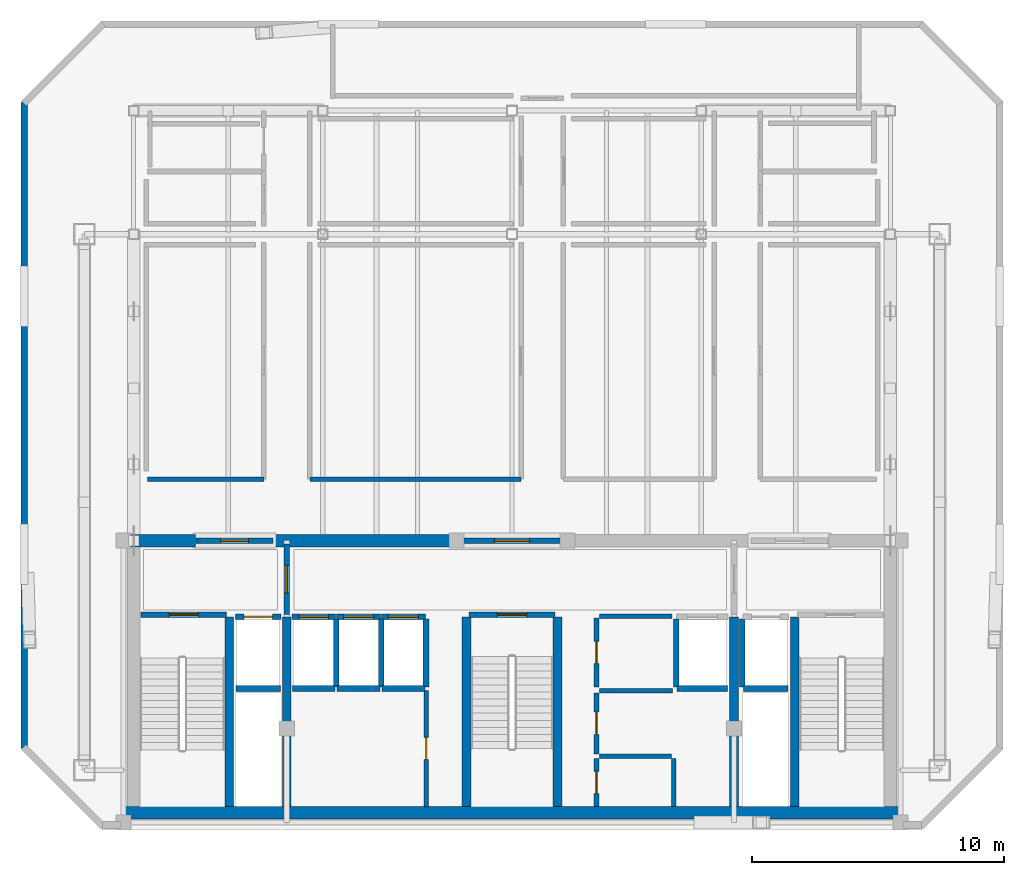
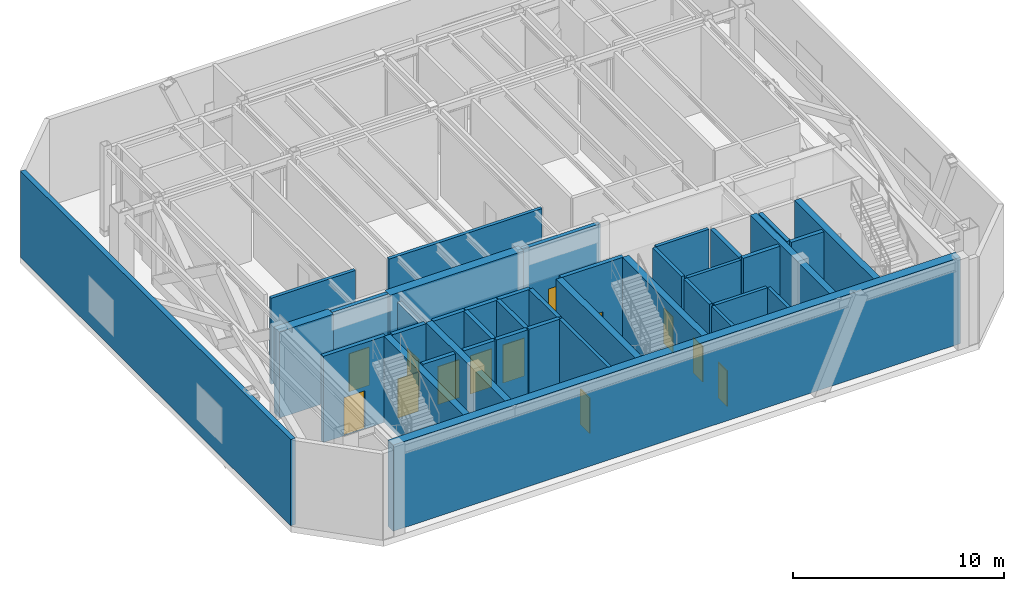
# One storey, part 3 of 7: 40 walls, 13 doors, 13 openings.
"""IFC4 building model written with IfcOpenShell, lengths in metres."""

from ifc_helpers import new_model, si_unit, direction, frame, frame_2d, origin, place, context, subcontext, project, spatial, rectangle, extrude, material, layer, layer_set, type_object, element, fill, save


model = new_model("IFC4")

# Units and contexts
model_context = context("Model", 3, precision=1e-05, world=origin(), true_north=direction((0.0, 1.0)))
body_context = subcontext(model_context, "Body", "Model", "MODEL_VIEW")
ifc_project = project(units=[si_unit("LENGTHUNIT", "METRE"), si_unit("AREAUNIT", "SQUARE_METRE"), si_unit("VOLUMEUNIT", "CUBIC_METRE"), si_unit("PLANEANGLEUNIT", "RADIAN"), si_unit("MASSUNIT", "GRAM", prefix="KILO")], contexts=[model_context])

# Site, building, storey
site_placement = place(None, origin())
site = spatial("IfcSite", under=ifc_project, at=site_placement, CompositionType="ELEMENT")
building_placement = place(site_placement, origin())
building = spatial("IfcBuilding", under=site, at=building_placement, Name="Ventersveld Concourse Tower", CompositionType="ELEMENT")
storey_placement = place(building_placement, frame((0.0, 0.0, 332.300048828125)))
storey = spatial("IfcBuildingStorey", under=building, at=storey_placement, Name="L82", CompositionType="ELEMENT", Elevation=332.300048828125)

# Walls
ifc_material_1 = material(Name="Concrete C50/60", Category="concrete")
ifc_layer_1 = layer(ifc_material_1, 0.35009765625)
ifc_layer_set_1 = layer_set([ifc_layer_1], Name="Concrete C50/60")
wall_type_1 = type_object("IfcWallType", Name="WL-CORE-350U", PredefinedType="SHEAR", material=ifc_layer_set_1)
for number, where, z_axis, x_axis, name in (
    (1, (17.5400390625, 0.919921875, 0.0), (0.0, 0.0, 1.0), (0.0, 1.0, 0.0), "L82 Core Internal Shear Web W-ST1-E"),
    (2, (19.820068359375, 0.919921875, 0.0), (0.0, 0.0, 1.0), (0.0, 1.0, 0.0), "L82 Core Internal Shear Web W-FF1-E"),
    (3, (26.93994140625, 0.919921875, 0.0), (0.0, 0.0, 1.0), (0.0, 1.0, 0.0), "L82 Core Internal Shear Web W-ST3-W"),
    (4, (30.56005859375, 0.919921875, 0.0), (0.0, 0.0, 1.0), (0.0, 1.0, 0.0), "L82 Core Internal Shear Web W-ST3-E"),
    (5, (37.550048828125, 0.919921875, 0.0), (0.0, 0.0, 1.0), (0.0, 1.0, 0.0), "L82 Core Internal Shear Web W-SVL-W"),
    (6, (39.9599609375, 0.919921875, 0.0), (0.0, 0.0, 1.0), (0.0, 1.0, 0.0), "L82 Core Internal Shear Web W-ST2-W"),
):
    element("IfcWall", number, at=place(storey_placement, frame(where, z_axis=z_axis, x_axis=x_axis)), inside=storey, type_object=wall_type_1, Name=name, PredefinedType="SHEAR", context=body_context, shape_type="SweptSolid", body=[
        extrude(rectangle(XDim=7.5, YDim=0.35009765625, at=frame_2d((3.75, 0.0))), origin(), (0.0, 0.0, 1.0), 4.97998046875),
    ])
ifc_layer_2 = layer(ifc_material_1, 0.5)
ifc_layer_set_2 = layer_set([ifc_layer_2], Name="Concrete C50/60")
wall_type_2 = type_object("IfcWallType", Name="WL-CORE-500", PredefinedType="SHEAR", material=ifc_layer_set_2)
wall_1_placement = place(storey_placement, frame((13.25, 0.669921875, 0.0), z_axis=(0.0, 0.0, 1.0), x_axis=(1.0, 0.0, 0.0)))
element("IfcWall", 7, at=wall_1_placement, inside=storey, type_object=wall_type_2, Name="L82 Rear Core South Shear Wall", PredefinedType="SHEAR", context=body_context, shape_type="SweptSolid", body=[
    extrude(rectangle(XDim=31.0, YDim=0.5, at=frame_2d((15.5, 0.0))), origin(), (0.0, 0.0, 1.0), 4.97998046875),
])
wall_2_placement = place(storey_placement, frame((13.25, 11.449951171875, 0.0), z_axis=(0.0, 0.0, 1.0), x_axis=(1.0, 0.0, 0.0)))
element("IfcWall", 8, at=wall_2_placement, inside=storey, type_object=wall_type_2, Name="L82 Rear Core North Shear Wall NW", PredefinedType="SHEAR", context=body_context, shape_type="SweptSolid", body=[
    extrude(rectangle(XDim=2.949951171875, YDim=0.5, at=frame_2d((1.47509765625, 0.0))), origin(), (0.0, 0.0, 1.0), 4.97998046875),
])
wall_3_placement = place(storey_placement, frame((19.300048828125, 11.449951171875, 0.0), z_axis=(0.0, 0.0, 1.0), x_axis=(1.0, 0.0, 0.0)))
element("IfcWall", 9, at=wall_3_placement, inside=storey, type_object=wall_type_2, Name="L82 Rear Core North Shear Wall NML", PredefinedType="SHEAR", context=body_context, shape_type="SweptSolid", body=[
    extrude(rectangle(XDim=7.300048828125, YDim=0.5, at=frame_2d((3.64990234375, 0.0))), origin(), (0.0, 0.0, 1.0), 4.97998046875),
])

# Wall, opening, door
ifc_material_2 = material(Name="Fire-rated autoclaved aerated masonry blockwork", Category="masonry")
ifc_layer_3 = layer(ifc_material_2, 0.179931640625)
ifc_layer_set_3 = layer_set([ifc_layer_3], Name="Fire-rated autoclaved aerated masonry blockwork")
wall_type_3 = type_object("IfcWallType", Name="WL-CORR-180", PredefinedType="PARTITIONING", material=ifc_layer_set_3)
wall_4_placement = place(storey_placement, frame((25.35009765625, 0.89990234375, 0.0), z_axis=(0.0, 0.0, 1.0), x_axis=(0.0, 1.0, 0.0)))
wall_4 = element("IfcWall", 10, at=wall_4_placement, inside=storey, type_object=wall_type_3, Name="L82 Core Passage Wall SP-L82-RECB1A", PredefinedType="PARTITIONING", context=body_context, shape_type="SweptSolid", body=[
    extrude(rectangle(XDim=4.6201171875, YDim=0.179931640625, at=frame_2d((2.31005859375, 0.0))), origin(), (0.0, 0.0, 1.0), 4.97998046875),
])
opening_1_placement = place(wall_4_placement, frame((1.8701171875, 0.0, 0.0)))
opening_1 = element("IfcOpeningElement", 11, at=opening_1_placement, cuts=wall_4, Name="Opening FD5", PredefinedType="OPENING", context=body_context, shape_type="SweptSolid", body=[
    extrude(rectangle(XDim=0.8798828125, YDim=2.050048828125, at=frame_2d((0.43994140625, 1.02490234375))), frame((0.0, 0.10009765625, 0.0), z_axis=(0.0, -1.0, 0.0), x_axis=(1.0, 0.0, 0.0)), (0.0, 0.0, 1.0), 0.199951171875),
])
ifc_material_3 = material(Name="Galvanised painted steel", Category="steel")
door_type_1 = type_object("IfcDoorType", Name="DR-RISER-088", OperationType="NOTDEFINED", PredefinedType="DOOR", material=ifc_material_3)
door_1_placement = place(opening_1_placement, origin())
door_1 = element("IfcDoor", 12, at=door_1_placement, inside=storey, type_object=door_type_1, Name="L82 Core Room Door L82 Reclaimed Core Meeting Pod (CD-L82-3713)", OperationType="SINGLE_SWING_RIGHT", OverallHeight=2.050048828125, OverallWidth=0.8798828125, PredefinedType="DOOR", context=body_context, shape_type="SweptSolid", body=[
    extrude(rectangle(XDim=0.8798828125, YDim=2.050048828125, at=frame_2d((0.43994140625, 1.02490234375))), frame((0.0, 0.02490234375, 0.0), z_axis=(0.0, -1.0, 0.0), x_axis=(1.0, 0.0, 0.0)), (0.0, 0.0, 1.0), 0.050048828125),
])
fill(opening_1, door_1)

wall_5_placement = place(storey_placement, frame((32.10009765625, 0.919921875, 0.0), z_axis=(0.0, 0.0, 1.0), x_axis=(0.0, 1.0, 0.0)))
wall_5 = element("IfcWall", 13, at=wall_5_placement, inside=storey, type_object=wall_type_3, Name="L82 Core Passage Wall SP-L82-RECB2S", PredefinedType="PARTITIONING", context=body_context, shape_type="SweptSolid", body=[
    extrude(rectangle(XDim=1.900146484375, YDim=0.179931640625, at=frame_2d((0.9501953125, 0.0))), origin(), (0.0, 0.0, 1.0), 4.97998046875),
])
opening_2_placement = place(wall_5_placement, frame((0.510009765625, 0.0, 0.0)))
opening_2 = element("IfcOpeningElement", 14, at=opening_2_placement, cuts=wall_5, Name="Opening FD5", PredefinedType="OPENING", context=body_context, shape_type="SweptSolid", body=[
    extrude(rectangle(XDim=0.8798828125, YDim=2.050048828125, at=frame_2d((0.43994140625, 1.02490234375))), frame((0.0, 0.10009765625, 0.0), z_axis=(0.0, -1.0, 0.0), x_axis=(1.0, 0.0, 0.0)), (0.0, 0.0, 1.0), 0.199951171875),
])
door_2_placement = place(opening_2_placement, origin())
door_2 = element("IfcDoor", 15, at=door_2_placement, inside=storey, type_object=door_type_1, Name="L82 Core Room Door L82 Reclaimed Core Archive Store (CD-L82-3714)", OperationType="SINGLE_SWING_LEFT", OverallHeight=2.050048828125, OverallWidth=0.8798828125, PredefinedType="DOOR", context=body_context, shape_type="SweptSolid", body=[
    extrude(rectangle(XDim=0.8798828125, YDim=2.050048828125, at=frame_2d((0.43994140625, 1.02490234375))), frame((0.0, 0.02490234375, 0.0), z_axis=(0.0, -1.0, 0.0), x_axis=(1.0, 0.0, 0.0)), (0.0, 0.0, 1.0), 0.050048828125),
])
fill(opening_2, door_2)

# Walls
wall_6_placement = place(storey_placement, frame((32.219970703125, 2.89990234375, 0.0), z_axis=(0.0, 0.0, 1.0), x_axis=(1.0, 0.0, 0.0)))
element("IfcWall", 16, at=wall_6_placement, inside=storey, type_object=wall_type_3, Name="L82 Core Top Wall SP-L82-RECB2S", PredefinedType="PARTITIONING", context=body_context, shape_type="SweptSolid", body=[
    extrude(rectangle(XDim=2.860107421875, YDim=0.179931640625, at=frame_2d((1.43017578125, 0.0))), origin(), (0.0, 0.0, 1.0), 4.97998046875),
])
wall_7_placement = place(storey_placement, frame((35.159912109375, 0.919921875, 0.0), z_axis=(0.0, 0.0, 1.0), x_axis=(0.0, 1.0, 0.0)))
element("IfcWall", 17, at=wall_7_placement, inside=storey, type_object=wall_type_3, Name="L82 Core East Wall SP-L82-RECB2S", PredefinedType="PARTITIONING", context=body_context, shape_type="SweptSolid", body=[
    extrude(rectangle(XDim=1.900146484375, YDim=0.179931640625, at=frame_2d((0.9501953125, 0.0))), origin(), (0.0, 0.0, 1.0), 4.97998046875),
])

# Wall, opening, door
wall_8_placement = place(storey_placement, frame((32.10009765625, 3.0, 0.0), z_axis=(0.0, 0.0, 1.0), x_axis=(0.0, 1.0, 0.0)))
wall_8 = element("IfcWall", 18, at=wall_8_placement, inside=storey, type_object=wall_type_3, Name="L82 Core Passage Wall SP-L82-RECB2N", PredefinedType="PARTITIONING", context=body_context, shape_type="SweptSolid", body=[
    extrude(rectangle(XDim=2.419921875, YDim=0.179931640625, at=frame_2d((1.2099609375, 0.0))), origin(), (0.0, 0.0, 1.0), 4.97998046875),
])
opening_3_placement = place(wall_8_placement, frame((0.77001953125, 0.0, 0.0)))
opening_3 = element("IfcOpeningElement", 19, at=opening_3_placement, cuts=wall_8, Name="Opening FD5", PredefinedType="OPENING", context=body_context, shape_type="SweptSolid", body=[
    extrude(rectangle(XDim=0.8798828125, YDim=2.050048828125, at=frame_2d((0.43994140625, 1.02490234375))), frame((0.0, 0.10009765625, 0.0), z_axis=(0.0, -1.0, 0.0), x_axis=(1.0, 0.0, 0.0)), (0.0, 0.0, 1.0), 0.199951171875),
])
door_3_placement = place(opening_3_placement, origin())
door_3 = element("IfcDoor", 20, at=door_3_placement, inside=storey, type_object=door_type_1, Name="L82 Core Room Door L82 Reclaimed Core Housekeeping Room (CD-L82-3715)", OperationType="SINGLE_SWING_RIGHT", OverallHeight=2.050048828125, OverallWidth=0.8798828125, PredefinedType="DOOR", context=body_context, shape_type="SweptSolid", body=[
    extrude(rectangle(XDim=0.8798828125, YDim=2.050048828125, at=frame_2d((0.43994140625, 1.02490234375))), frame((0.0, 0.02490234375, 0.0), z_axis=(0.0, -1.0, 0.0), x_axis=(1.0, 0.0, 0.0)), (0.0, 0.0, 1.0), 0.050048828125),
])
fill(opening_3, door_3)

# Wall
wall_9_placement = place(storey_placement, frame((32.219970703125, 5.5, 0.0), z_axis=(0.0, 0.0, 1.0), x_axis=(1.0, 0.0, 0.0)))
element("IfcWall", 21, at=wall_9_placement, inside=storey, type_object=wall_type_3, Name="L82 Core Top Wall SP-L82-RECB2N", PredefinedType="PARTITIONING", context=body_context, shape_type="SweptSolid", body=[
    extrude(rectangle(XDim=2.900146484375, YDim=0.179931640625, at=frame_2d((1.4501953125, 0.0))), origin(), (0.0, 0.0, 1.0), 4.97998046875),
])

# Wall, opening, door
wall_10_placement = place(storey_placement, frame((32.10009765625, 5.64990234375, 0.0), z_axis=(0.0, 0.0, 1.0), x_axis=(0.0, 1.0, 0.0)))
wall_10 = element("IfcWall", 22, at=wall_10_placement, inside=storey, type_object=wall_type_3, Name="L82 Core Passage Wall SP-L82-CBAY1", PredefinedType="PARTITIONING", context=body_context, shape_type="SweptSolid", body=[
    extrude(rectangle(XDim=2.72998046875, YDim=0.179931640625, at=frame_2d((1.364990234375, 0.0))), origin(), (0.0, 0.0, 1.0), 4.97998046875),
])
opening_4_placement = place(wall_10_placement, frame((0.925048828125, 0.0, 0.0)))
opening_4 = element("IfcOpeningElement", 23, at=opening_4_placement, cuts=wall_10, Name="Opening FD5", PredefinedType="OPENING", context=body_context, shape_type="SweptSolid", body=[
    extrude(rectangle(XDim=0.8798828125, YDim=2.050048828125, at=frame_2d((0.43994140625, 1.02490234375))), frame((0.0, 0.10009765625, 0.0), z_axis=(0.0, -1.0, 0.0), x_axis=(1.0, 0.0, 0.0)), (0.0, 0.0, 1.0), 0.199951171875),
])
door_4_placement = place(opening_4_placement, origin())
door_4 = element("IfcDoor", 24, at=door_4_placement, inside=storey, type_object=door_type_1, Name="L82 Core Room Door L82 Core Parcel Store (CD-L82-3716)", OperationType="SINGLE_SWING_LEFT", OverallHeight=2.050048828125, OverallWidth=0.8798828125, PredefinedType="DOOR", context=body_context, shape_type="SweptSolid", body=[
    extrude(rectangle(XDim=0.8798828125, YDim=2.050048828125, at=frame_2d((0.43994140625, 1.02490234375))), frame((0.0, 0.02490234375, 0.0), z_axis=(0.0, -1.0, 0.0), x_axis=(1.0, 0.0, 0.0)), (0.0, 0.0, 1.0), 0.050048828125),
])
fill(opening_4, door_4)

# Walls
wall_11_placement = place(storey_placement, frame((32.219970703125, 8.4599609375, 0.0), z_axis=(0.0, 0.0, 1.0), x_axis=(1.0, 0.0, 0.0)))
element("IfcWall", 25, at=wall_11_placement, inside=storey, type_object=wall_type_3, Name="L82 Core Top Wall SP-L82-CBAY1", PredefinedType="PARTITIONING", context=body_context, shape_type="SweptSolid", body=[
    extrude(rectangle(XDim=2.880126953125, YDim=0.179931640625, at=frame_2d((1.43994140625, 0.0))), origin(), (0.0, 0.0, 1.0), 4.97998046875),
])
wall_12_placement = place(storey_placement, frame((14.304931640625, 13.889892578125, 0.0), z_axis=(0.0, 0.0, 1.0), x_axis=(1.0, 0.0, 0.0)))
element("IfcWall", 26, at=wall_12_placement, inside=storey, type_object=wall_type_3, Name="L82 Interior Partition SP-L82-PCOR-SP-L82-REF-1", PredefinedType="PARTITIONING", context=body_context, shape_type="SweptSolid", body=[
    extrude(rectangle(XDim=4.610107421875, YDim=0.179931640625, at=frame_2d((2.30517578125, 0.0))), origin(), (0.0, 0.0, 1.0), 4.97998046875),
])
wall_13_placement = place(storey_placement, frame((20.735107421875, 13.889892578125, 0.0), z_axis=(0.0, 0.0, 1.0), x_axis=(1.0, 0.0, 0.0)))
element("IfcWall", 27, at=wall_13_placement, inside=storey, type_object=wall_type_3, Name="L82 Interior Partition SP-L82-PCOR-SP-L82-REF-2", PredefinedType="PARTITIONING", context=body_context, shape_type="SweptSolid", body=[
    extrude(rectangle(XDim=8.3798828125, YDim=0.179931640625, at=frame_2d((4.18994140625, 0.0))), origin(), (0.0, 0.0, 1.0), 4.97998046875),
])
ifc_layer_4 = layer(ifc_material_2, 0.219970703125)
ifc_layer_set_4 = layer_set([ifc_layer_4], Name="Fire-rated autoclaved aerated masonry blockwork")
wall_type_4 = type_object("IfcWallType", Name="WL-HOIST-220", PredefinedType="SOLIDWALL", material=ifc_layer_set_4)
wall_14_placement = place(storey_placement, frame((17.800048828125, 5.590087890625, 0.0), z_axis=(0.0, 0.0, 1.0), x_axis=(1.0, 0.0, 0.0)))
element("IfcWall", 28, at=wall_14_placement, inside=storey, type_object=wall_type_4, Name="L82 Lift Hoistway Back Wall FFL-01", PredefinedType="SOLIDWALL", context=body_context, shape_type="SweptSolid", body=[
    extrude(rectangle(XDim=1.780029296875, YDim=0.219970703125, at=frame_2d((0.89013671875, 0.0))), origin(), (0.0, 0.0, 1.0), 4.97998046875),
])

# Wall, opening, door
wall_15_placement = place(storey_placement, frame((17.780029296875, 8.429931640625, 0.0), z_axis=(0.0, 0.0, 1.0), x_axis=(1.0, 0.0, 0.0)))
wall_15 = element("IfcWall", 29, at=wall_15_placement, inside=storey, type_object=wall_type_4, Name="L82 Lift Hoistway Front Wall FFL-01", PredefinedType="SOLIDWALL", context=body_context, shape_type="SweptSolid", body=[
    extrude(rectangle(XDim=1.820068359375, YDim=0.219970703125, at=frame_2d((0.91015625, 0.0))), origin(), (0.0, 0.0, 1.0), 4.97998046875),
])
opening_5_placement = place(wall_15_placement, frame((0.35009765625, 0.0, 0.0)))
opening_5 = element("IfcOpeningElement", 30, at=opening_5_placement, cuts=wall_15, Name="Opening LD1", PredefinedType="OPENING", context=body_context, shape_type="SweptSolid", body=[
    extrude(rectangle(XDim=1.1201171875, YDim=2.25, at=frame_2d((0.56005859375, 1.125))), frame((0.0, 0.1201171875, 0.0), z_axis=(0.0, -1.0, 0.0), x_axis=(1.0, 0.0, 0.0)), (0.0, 0.0, 1.0), 0.239990234375),
])
ifc_material_4 = material(Name="Brushed stainless steel 316", Category="steel")
door_type_2 = type_object("IfcDoorType", Name="LD-FF-112", OperationType="SLIDING_TO_LEFT", PredefinedType="DOOR", material=ifc_material_4)
door_5_placement = place(opening_5_placement, origin())
door_5 = element("IfcDoor", 31, at=door_5_placement, inside=storey, type_object=door_type_2, Name="L82 Lift landing door FFL-01 (LD-L82-FFL-01)", OperationType="SLIDING_TO_RIGHT", OverallHeight=2.25, OverallWidth=1.1201171875, PredefinedType="DOOR", context=body_context, shape_type="SweptSolid", body=[
    extrude(rectangle(XDim=1.1201171875, YDim=2.25, at=frame_2d((0.56005859375, 1.125))), frame((0.0, 0.02490234375, 0.0), z_axis=(0.0, -1.0, 0.0), x_axis=(1.0, 0.0, 0.0)), (0.0, 0.0, 1.0), 0.050048828125),
])
fill(opening_5, door_5)

# Walls
wall_16_placement = place(storey_placement, frame((37.919921875, 5.590087890625, 0.0), z_axis=(0.0, 0.0, 1.0), x_axis=(1.0, 0.0, 0.0)))
element("IfcWall", 32, at=wall_16_placement, inside=storey, type_object=wall_type_4, Name="L82 Lift Hoistway Back Wall FFL-02", PredefinedType="SOLIDWALL", context=body_context, shape_type="SweptSolid", body=[
    extrude(rectangle(XDim=1.780029296875, YDim=0.219970703125, at=frame_2d((0.89013671875, 0.0))), origin(), (0.0, 0.0, 1.0), 4.97998046875),
])
wall_17_placement = place(storey_placement, frame((37.8798828125, 5.64990234375, 0.0), z_axis=(0.0, 0.0, 1.0), x_axis=(0.0, 1.0, 0.0)))
element("IfcWall", 33, at=wall_17_placement, inside=storey, type_object=wall_type_4, Name="L82 Lift Hoistway Side Wall FFL-02W", PredefinedType="SOLIDWALL", context=body_context, shape_type="SweptSolid", body=[
    extrude(rectangle(XDim=2.7001953125, YDim=0.219970703125, at=frame_2d((1.35009765625, 0.0))), origin(), (0.0, 0.0, 1.0), 4.97998046875),
])
wall_18_placement = place(storey_placement, frame((35.300048828125, 5.590087890625, 0.0), z_axis=(0.0, 0.0, 1.0), x_axis=(1.0, 0.0, 0.0)))
element("IfcWall", 34, at=wall_18_placement, inside=storey, type_object=wall_type_4, Name="L82 Lift Hoistway Back Wall SVL-01", PredefinedType="SOLIDWALL", context=body_context, shape_type="SweptSolid", body=[
    extrude(rectangle(XDim=2.0, YDim=0.219970703125, at=frame_2d((1.0, 0.0))), origin(), (0.0, 0.0, 1.0), 4.97998046875),
])
wall_19_placement = place(storey_placement, frame((35.260009765625, 5.64990234375, 0.0), z_axis=(0.0, 0.0, 1.0), x_axis=(0.0, 1.0, 0.0)))
element("IfcWall", 35, at=wall_19_placement, inside=storey, type_object=wall_type_4, Name="L82 Lift Hoistway Side Wall SVL-01W", PredefinedType="SOLIDWALL", context=body_context, shape_type="SweptSolid", body=[
    extrude(rectangle(XDim=2.7001953125, YDim=0.219970703125, at=frame_2d((1.35009765625, 0.0))), origin(), (0.0, 0.0, 1.0), 4.97998046875),
])
wall_20_placement = place(storey_placement, frame((20.0400390625, 5.590087890625, 0.0), z_axis=(0.0, 0.0, 1.0), x_axis=(1.0, 0.0, 0.0)))
element("IfcWall", 36, at=wall_20_placement, inside=storey, type_object=wall_type_4, Name="L82 Lift Hoistway Back Wall PH-01", PredefinedType="SOLIDWALL", context=body_context, shape_type="SweptSolid", body=[
    extrude(rectangle(XDim=1.699951171875, YDim=0.219970703125, at=frame_2d((0.85009765625, 0.0))), origin(), (0.0, 0.0, 1.0), 4.97998046875),
])
wall_21_placement = place(storey_placement, frame((21.780029296875, 5.64990234375, 0.0), z_axis=(0.0, 0.0, 1.0), x_axis=(0.0, 1.0, 0.0)))
element("IfcWall", 37, at=wall_21_placement, inside=storey, type_object=wall_type_4, Name="L82 Lift Hoistway Side Wall PH-01E", PredefinedType="SOLIDWALL", context=body_context, shape_type="SweptSolid", body=[
    extrude(rectangle(XDim=2.7001953125, YDim=0.219970703125, at=frame_2d((1.35009765625, 0.0))), origin(), (0.0, 0.0, 1.0), 4.97998046875),
])

# Wall, opening, door
wall_22_placement = place(storey_placement, frame((20.02001953125, 8.429931640625, 0.0), z_axis=(0.0, 0.0, 1.0), x_axis=(1.0, 0.0, 0.0)))
wall_22 = element("IfcWall", 38, at=wall_22_placement, inside=storey, type_object=wall_type_4, Name="L82 Lift Hoistway Front Wall PH-01", PredefinedType="SOLIDWALL", context=body_context, shape_type="SweptSolid", body=[
    extrude(rectangle(XDim=1.739990234375, YDim=0.219970703125, at=frame_2d((0.8701171875, 0.0))), origin(), (0.0, 0.0, 1.0), 4.97998046875),
])
opening_6_placement = place(wall_22_placement, frame((0.280029296875, 0.0, 0.0)))
opening_6 = element("IfcOpeningElement", 39, at=opening_6_placement, cuts=wall_22, Name="Opening LD2", PredefinedType="OPENING", context=body_context, shape_type="SweptSolid", body=[
    extrude(rectangle(XDim=1.179931640625, YDim=2.199951171875, at=frame_2d((0.58984375, 1.10009765625))), frame((0.0, 0.1201171875, 0.0), z_axis=(0.0, -1.0, 0.0), x_axis=(1.0, 0.0, 0.0)), (0.0, 0.0, 1.0), 0.239990234375),
])
door_type_3 = type_object("IfcDoorType", Name="LD-PAX-118", OperationType="SLIDING_TO_LEFT", PredefinedType="DOOR", material=ifc_material_4)
door_6_placement = place(opening_6_placement, origin())
door_6 = element("IfcDoor", 40, at=door_6_placement, inside=storey, type_object=door_type_3, Name="L82 Lift landing door PH-01 (LD-L82-PH-01)", OperationType="SLIDING_TO_LEFT", OverallHeight=2.199951171875, OverallWidth=1.179931640625, PredefinedType="DOOR", context=body_context, shape_type="SweptSolid", body=[
    extrude(rectangle(XDim=1.179931640625, YDim=2.199951171875, at=frame_2d((0.58984375, 1.10009765625))), frame((0.0, 0.02490234375, 0.0), z_axis=(0.0, -1.0, 0.0), x_axis=(1.0, 0.0, 0.0)), (0.0, 0.0, 1.0), 0.050048828125),
])
fill(opening_6, door_6)

# Walls
wall_23_placement = place(storey_placement, frame((21.820068359375, 5.590087890625, 0.0), z_axis=(0.0, 0.0, 1.0), x_axis=(1.0, 0.0, 0.0)))
element("IfcWall", 41, at=wall_23_placement, inside=storey, type_object=wall_type_4, Name="L82 Lift Hoistway Back Wall PH-02", PredefinedType="SOLIDWALL", context=body_context, shape_type="SweptSolid", body=[
    extrude(rectangle(XDim=1.699951171875, YDim=0.219970703125, at=frame_2d((0.85009765625, 0.0))), origin(), (0.0, 0.0, 1.0), 4.97998046875),
])
wall_24_placement = place(storey_placement, frame((23.56005859375, 5.64990234375, 0.0), z_axis=(0.0, 0.0, 1.0), x_axis=(0.0, 1.0, 0.0)))
element("IfcWall", 42, at=wall_24_placement, inside=storey, type_object=wall_type_4, Name="L82 Lift Hoistway Side Wall PH-02E", PredefinedType="SOLIDWALL", context=body_context, shape_type="SweptSolid", body=[
    extrude(rectangle(XDim=2.7001953125, YDim=0.219970703125, at=frame_2d((1.35009765625, 0.0))), origin(), (0.0, 0.0, 1.0), 4.97998046875),
])

# Wall, opening, door
wall_25_placement = place(storey_placement, frame((21.800048828125, 8.429931640625, 0.0), z_axis=(0.0, 0.0, 1.0), x_axis=(1.0, 0.0, 0.0)))
wall_25 = element("IfcWall", 43, at=wall_25_placement, inside=storey, type_object=wall_type_4, Name="L82 Lift Hoistway Front Wall PH-02", PredefinedType="SOLIDWALL", context=body_context, shape_type="SweptSolid", body=[
    extrude(rectangle(XDim=1.739990234375, YDim=0.219970703125, at=frame_2d((0.8701171875, 0.0))), origin(), (0.0, 0.0, 1.0), 4.97998046875),
])
opening_7_placement = place(wall_25_placement, frame((0.280029296875, 0.0, 0.0)))
opening_7 = element("IfcOpeningElement", 44, at=opening_7_placement, cuts=wall_25, Name="Opening LD2", PredefinedType="OPENING", context=body_context, shape_type="SweptSolid", body=[
    extrude(rectangle(XDim=1.179931640625, YDim=2.199951171875, at=frame_2d((0.58984375, 1.10009765625))), frame((0.0, 0.1201171875, 0.0), z_axis=(0.0, -1.0, 0.0), x_axis=(1.0, 0.0, 0.0)), (0.0, 0.0, 1.0), 0.239990234375),
])
door_7_placement = place(opening_7_placement, origin())
door_7 = element("IfcDoor", 45, at=door_7_placement, inside=storey, type_object=door_type_3, Name="L82 Lift landing door PH-02 (LD-L82-PH-02)", OperationType="SLIDING_TO_RIGHT", OverallHeight=2.199951171875, OverallWidth=1.179931640625, PredefinedType="DOOR", context=body_context, shape_type="SweptSolid", body=[
    extrude(rectangle(XDim=1.179931640625, YDim=2.199951171875, at=frame_2d((0.58984375, 1.10009765625))), frame((0.0, 0.02490234375, 0.0), z_axis=(0.0, -1.0, 0.0), x_axis=(1.0, 0.0, 0.0)), (0.0, 0.0, 1.0), 0.050048828125),
])
fill(opening_7, door_7)

# Walls
wall_26_placement = place(storey_placement, frame((23.60009765625, 5.590087890625, 0.0), z_axis=(0.0, 0.0, 1.0), x_axis=(1.0, 0.0, 0.0)))
element("IfcWall", 46, at=wall_26_placement, inside=storey, type_object=wall_type_4, Name="L82 Lift Hoistway Back Wall PH-03", PredefinedType="SOLIDWALL", context=body_context, shape_type="SweptSolid", body=[
    extrude(rectangle(XDim=1.699951171875, YDim=0.219970703125, at=frame_2d((0.85009765625, 0.0))), origin(), (0.0, 0.0, 1.0), 4.97998046875),
])
wall_27_placement = place(storey_placement, frame((25.340087890625, 5.64990234375, 0.0), z_axis=(0.0, 0.0, 1.0), x_axis=(0.0, 1.0, 0.0)))
element("IfcWall", 47, at=wall_27_placement, inside=storey, type_object=wall_type_4, Name="L82 Lift Hoistway Side Wall PH-03E", PredefinedType="SOLIDWALL", context=body_context, shape_type="SweptSolid", body=[
    extrude(rectangle(XDim=2.7001953125, YDim=0.219970703125, at=frame_2d((1.35009765625, 0.0))), origin(), (0.0, 0.0, 1.0), 4.97998046875),
])

# Wall, opening, door
wall_28_placement = place(storey_placement, frame((23.580078125, 8.429931640625, 0.0), z_axis=(0.0, 0.0, 1.0), x_axis=(1.0, 0.0, 0.0)))
wall_28 = element("IfcWall", 48, at=wall_28_placement, inside=storey, type_object=wall_type_4, Name="L82 Lift Hoistway Front Wall PH-03", PredefinedType="SOLIDWALL", context=body_context, shape_type="SweptSolid", body=[
    extrude(rectangle(XDim=1.739990234375, YDim=0.219970703125, at=frame_2d((0.8701171875, 0.0))), origin(), (0.0, 0.0, 1.0), 4.97998046875),
])
opening_8_placement = place(wall_28_placement, frame((0.280029296875, 0.0, 0.0)))
opening_8 = element("IfcOpeningElement", 49, at=opening_8_placement, cuts=wall_28, Name="Opening LD2", PredefinedType="OPENING", context=body_context, shape_type="SweptSolid", body=[
    extrude(rectangle(XDim=1.179931640625, YDim=2.199951171875, at=frame_2d((0.58984375, 1.10009765625))), frame((0.0, 0.1201171875, 0.0), z_axis=(0.0, -1.0, 0.0), x_axis=(1.0, 0.0, 0.0)), (0.0, 0.0, 1.0), 0.239990234375),
])
door_8_placement = place(opening_8_placement, origin())
door_8 = element("IfcDoor", 50, at=door_8_placement, inside=storey, type_object=door_type_3, Name="L82 Lift landing door PH-03 (LD-L82-PH-03)", OperationType="SLIDING_TO_LEFT", OverallHeight=2.199951171875, OverallWidth=1.179931640625, PredefinedType="DOOR", context=body_context, shape_type="SweptSolid", body=[
    extrude(rectangle(XDim=1.179931640625, YDim=2.199951171875, at=frame_2d((0.58984375, 1.10009765625))), frame((0.0, 0.02490234375, 0.0), z_axis=(0.0, -1.0, 0.0), x_axis=(1.0, 0.0, 0.0)), (0.0, 0.0, 1.0), 0.050048828125),
])
fill(opening_8, door_8)

wall_29_placement = place(storey_placement, frame((14.0400390625, 8.52001953125, 0.0), z_axis=(0.0, 0.0, 1.0), x_axis=(1.0, 0.0, 0.0)))
wall_29 = element("IfcWall", 51, at=wall_29_placement, inside=storey, type_object=wall_type_4, Name="L82 Escape Stair ST01 Fire Wall", PredefinedType="SOLIDWALL", context=body_context, shape_type="SweptSolid", body=[
    extrude(rectangle(XDim=3.39990234375, YDim=0.219970703125, at=frame_2d((1.699951171875, 0.0))), origin(), (0.0, 0.0, 1.0), 4.97998046875),
])
opening_9_placement = place(wall_29_placement, frame((1.125, 0.0, 0.0)))
opening_9 = element("IfcOpeningElement", 52, at=opening_9_placement, cuts=wall_29, Name="Opening FD1", PredefinedType="OPENING", context=body_context, shape_type="SweptSolid", body=[
    extrude(rectangle(XDim=1.14990234375, YDim=2.199951171875, at=frame_2d((0.574951171875, 1.10009765625))), frame((0.0, 0.1201171875, 0.0), z_axis=(0.0, -1.0, 0.0), x_axis=(1.0, 0.0, 0.0)), (0.0, 0.0, 1.0), 0.239990234375),
])
door_type_4 = type_object("IfcDoorType", Name="DR-STAIR-115", OperationType="NOTDEFINED", PredefinedType="DOOR", material=ifc_material_3)
door_9_placement = place(opening_9_placement, origin())
door_9 = element("IfcDoor", 53, at=door_9_placement, inside=storey, type_object=door_type_4, Name="L82 Escape Stair Door ST01 (SD-L82-3705)", OperationType="SINGLE_SWING_LEFT", OverallHeight=2.199951171875, OverallWidth=1.14990234375, PredefinedType="DOOR", context=body_context, shape_type="SweptSolid", body=[
    extrude(rectangle(XDim=1.14990234375, YDim=2.199951171875, at=frame_2d((0.574951171875, 1.10009765625))), frame((0.0, 0.02490234375, 0.0), z_axis=(0.0, -1.0, 0.0), x_axis=(1.0, 0.0, 0.0)), (0.0, 0.0, 1.0), 0.050048828125),
])
fill(opening_9, door_9)

wall_30_placement = place(storey_placement, frame((27.0400390625, 8.52001953125, 0.0), z_axis=(0.0, 0.0, 1.0), x_axis=(1.0, 0.0, 0.0)))
wall_30 = element("IfcWall", 54, at=wall_30_placement, inside=storey, type_object=wall_type_4, Name="L82 Escape Stair ST03 Fire Wall", PredefinedType="SOLIDWALL", context=body_context, shape_type="SweptSolid", body=[
    extrude(rectangle(XDim=3.419921875, YDim=0.219970703125, at=frame_2d((1.7099609375, 0.0))), origin(), (0.0, 0.0, 1.0), 4.97998046875),
])
opening_10_placement = place(wall_30_placement, frame((1.135009765625, 0.0, 0.0)))
opening_10 = element("IfcOpeningElement", 55, at=opening_10_placement, cuts=wall_30, Name="Opening FD1", PredefinedType="OPENING", context=body_context, shape_type="SweptSolid", body=[
    extrude(rectangle(XDim=1.14990234375, YDim=2.199951171875, at=frame_2d((0.574951171875, 1.10009765625))), frame((0.0, 0.1201171875, 0.0), z_axis=(0.0, -1.0, 0.0), x_axis=(1.0, 0.0, 0.0)), (0.0, 0.0, 1.0), 0.239990234375),
])
door_10_placement = place(opening_10_placement, origin())
door_10 = element("IfcDoor", 56, at=door_10_placement, inside=storey, type_object=door_type_4, Name="L82 Escape Stair Door ST03 (SD-L82-3707)", OperationType="SINGLE_SWING_LEFT", OverallHeight=2.199951171875, OverallWidth=1.14990234375, PredefinedType="DOOR", context=body_context, shape_type="SweptSolid", body=[
    extrude(rectangle(XDim=1.14990234375, YDim=2.199951171875, at=frame_2d((0.574951171875, 1.10009765625))), frame((0.0, 0.02490234375, 0.0), z_axis=(0.0, -1.0, 0.0), x_axis=(1.0, 0.0, 0.0)), (0.0, 0.0, 1.0), 0.050048828125),
])
fill(opening_10, door_10)

wall_31_placement = place(storey_placement, frame((19.820068359375, 8.52001953125, 0.0), z_axis=(0.0, 0.0, 1.0), x_axis=(0.0, 1.0, 0.0)))
wall_31 = element("IfcWall", 57, at=wall_31_placement, inside=storey, type_object=wall_type_4, Name="L82 Firefighting Lobby Smoke-Stop Wall FFLW-SEP", PredefinedType="SOLIDWALL", context=body_context, shape_type="SweptSolid", body=[
    extrude(rectangle(XDim=2.800048828125, YDim=0.219970703125, at=frame_2d((1.39990234375, 0.0))), origin(), (0.0, 0.0, 1.0), 4.435546875),
])
opening_11_placement = place(wall_31_placement, frame((0.85009765625, 0.0, 0.0)))
opening_11 = element("IfcOpeningElement", 58, at=opening_11_placement, cuts=wall_31, Name="Opening FD2", PredefinedType="OPENING", context=body_context, shape_type="SweptSolid", body=[
    extrude(rectangle(XDim=1.10009765625, YDim=2.199951171875, at=frame_2d((0.550048828125, 1.10009765625))), frame((0.0, 0.1201171875, 0.0), z_axis=(0.0, -1.0, 0.0), x_axis=(1.0, 0.0, 0.0)), (0.0, 0.0, 1.0), 0.239990234375),
])
door_type_5 = type_object("IfcDoorType", Name="DR-FFL-110", OperationType="NOTDEFINED", PredefinedType="DOOR", material=ifc_material_3)
door_11_placement = place(opening_11_placement, origin())
door_11 = element("IfcDoor", 59, at=door_11_placement, inside=storey, type_object=door_type_5, Name="L82 Firefighting Lobby Door FFLW-SEP (FD-L82-3708)", OperationType="SINGLE_SWING_LEFT", OverallHeight=2.199951171875, OverallWidth=1.10009765625, PredefinedType="DOOR", context=body_context, shape_type="SweptSolid", body=[
    extrude(rectangle(XDim=1.10009765625, YDim=2.199951171875, at=frame_2d((0.550048828125, 1.10009765625))), frame((0.0, 0.02490234375, 0.0), z_axis=(0.0, -1.0, 0.0), x_axis=(1.0, 0.0, 0.0)), (0.0, 0.0, 1.0), 0.050048828125),
])
fill(opening_11, door_11)

wall_32_placement = place(storey_placement, frame((16.22998046875, 11.449951171875, 0.0), z_axis=(0.0, 0.0, 1.0), x_axis=(1.0, 0.0, 0.0)))
wall_32 = element("IfcWall", 60, at=wall_32_placement, inside=storey, type_object=wall_type_4, Name="L82 Core North Fire Portal FFLW-OUT", PredefinedType="SOLIDWALL", context=body_context, shape_type="SweptSolid", body=[
    extrude(rectangle(XDim=3.0400390625, YDim=0.219970703125, at=frame_2d((1.52001953125, 0.0))), origin(), (0.0, 0.0, 1.0), 4.97998046875),
])
opening_12_placement = place(wall_32_placement, frame((0.969970703125, 0.0, 0.0)))
opening_12 = element("IfcOpeningElement", 61, at=opening_12_placement, cuts=wall_32, Name="Opening FD2", PredefinedType="OPENING", context=body_context, shape_type="SweptSolid", body=[
    extrude(rectangle(XDim=1.10009765625, YDim=2.199951171875, at=frame_2d((0.550048828125, 1.10009765625))), frame((0.0, 0.1201171875, 0.0), z_axis=(0.0, -1.0, 0.0), x_axis=(1.0, 0.0, 0.0)), (0.0, 0.0, 1.0), 0.239990234375),
])
door_12_placement = place(opening_12_placement, origin())
door_12 = element("IfcDoor", 62, at=door_12_placement, inside=storey, type_object=door_type_5, Name="L82 Refuge Area Entry Door (FD-L82-3710)", OperationType="SINGLE_SWING_RIGHT", OverallHeight=2.199951171875, OverallWidth=1.10009765625, PredefinedType="DOOR", context=body_context, shape_type="SweptSolid", body=[
    extrude(rectangle(XDim=1.10009765625, YDim=2.199951171875, at=frame_2d((0.550048828125, 1.10009765625))), frame((0.0, 0.02490234375, 0.0), z_axis=(0.0, -1.0, 0.0), x_axis=(1.0, 0.0, 0.0)), (0.0, 0.0, 1.0), 0.050048828125),
])
fill(opening_12, door_12)

wall_33_placement = place(storey_placement, frame((26.6298828125, 11.449951171875, 0.0), z_axis=(0.0, 0.0, 1.0), x_axis=(1.0, 0.0, 0.0)))
wall_33 = element("IfcWall", 63, at=wall_33_placement, inside=storey, type_object=wall_type_4, Name="L82 Core North Fire Portal PLOB-OUT", PredefinedType="SOLIDWALL", context=body_context, shape_type="SweptSolid", body=[
    extrude(rectangle(XDim=4.240234375, YDim=0.219970703125, at=frame_2d((2.1201171875, 0.0))), origin(), (0.0, 0.0, 1.0), 4.97998046875),
])
opening_13_placement = place(wall_33_placement, frame((1.419921875, 0.0, 0.0)))
opening_13 = element("IfcOpeningElement", 64, at=opening_13_placement, cuts=wall_33, Name="Opening FD4", PredefinedType="OPENING", context=body_context, shape_type="SweptSolid", body=[
    extrude(rectangle(XDim=1.39990234375, YDim=2.199951171875, at=frame_2d((0.699951171875, 1.10009765625))), frame((0.0, 0.1201171875, 0.0), z_axis=(0.0, -1.0, 0.0), x_axis=(1.0, 0.0, 0.0)), (0.0, 0.0, 1.0), 0.239990234375),
])
door_type_6 = type_object("IfcDoorType", Name="DR-PLANT-140", OperationType="DOUBLE_DOOR_SINGLE_SWING", PredefinedType="DOOR", material=ifc_material_3)
door_13_placement = place(opening_13_placement, origin())
door_13 = element("IfcDoor", 65, at=door_13_placement, inside=storey, type_object=door_type_6, Name="L82 Core Lobby Fire Door PLOB-OUT (FD-L82-3711)", OperationType="DOUBLE_DOOR_SINGLE_SWING", OverallHeight=2.199951171875, OverallWidth=1.39990234375, PredefinedType="DOOR", context=body_context, shape_type="SweptSolid", body=[
    extrude(rectangle(XDim=1.39990234375, YDim=2.199951171875, at=frame_2d((0.699951171875, 1.10009765625))), frame((0.0, 0.02490234375, 0.0), z_axis=(0.0, -1.0, 0.0), x_axis=(1.0, 0.0, 0.0)), (0.0, 0.0, 1.0), 0.050048828125),
])
fill(opening_13, door_13)

# Wall
ifc_material_5 = material(Name="Precast concrete C45/55", Category="concrete")
ifc_layer_5 = layer(ifc_material_5, 0.260009765625)
ifc_layer_set_5 = layer_set([ifc_layer_5], Name="Precast concrete C45/55")
wall_type_5 = type_object("IfcWallType", Name="WL-PREC-260", PredefinedType="SOLIDWALL", material=ifc_layer_set_5)
wall_34_placement = place(storey_placement, frame((9.4072265625, 28.8193359375, 0.0), z_axis=(0.0, 0.0, 1.0), x_axis=(0.0, -1.0, 0.0)))
element("IfcWall", 66, at=wall_34_placement, inside=storey, type_object=wall_type_5, Name="L82 Highveld Precast Facade Wall E07", PredefinedType="SOLIDWALL", context=body_context, shape_type="SweptSolid", body=[
    extrude(rectangle(XDim=25.579345703125, YDim=0.260009765625, at=frame_2d((12.78955078125, 0.0))), origin(), (0.0, 0.0, 1.0), 4.97998046875),
])

save(model, "model.ifc")
